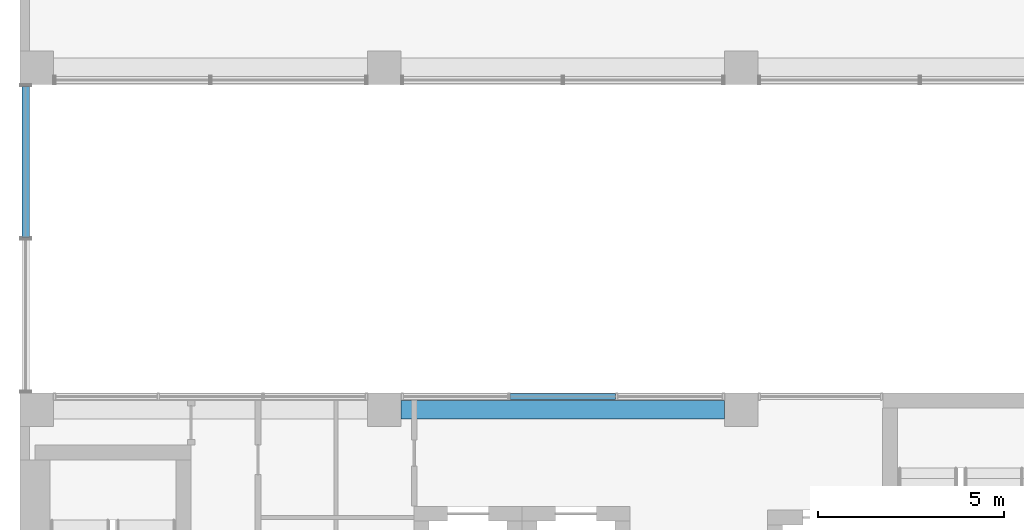
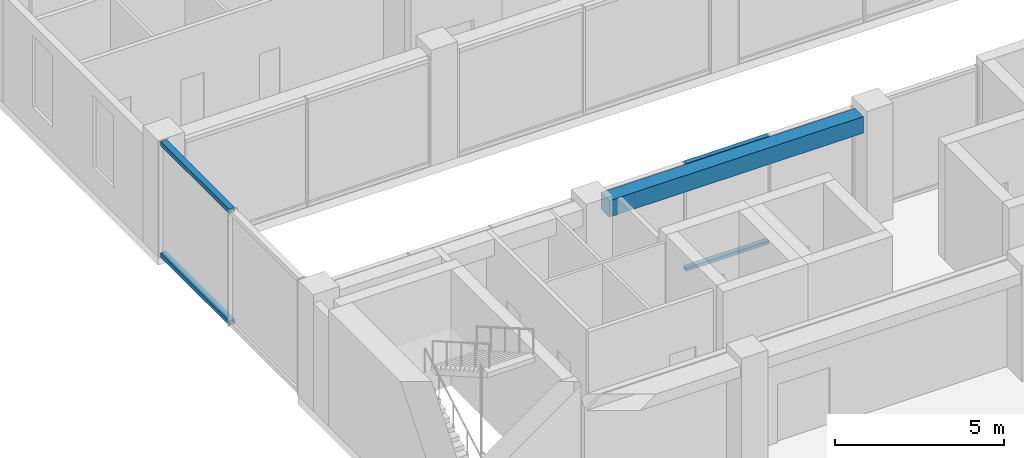
# One storey, part 7 of 37: 4 members, 1 beam, 2 elements without a shape of their own.
"""IFC4 building model written with IfcOpenShell, lengths in metres."""

from ifc_helpers import new_model, si_unit, direction, frame, origin, origin_2d, place, context, subcontext, project, spatial, rectangle, hollow_rectangle, extrude, material, layer, layer_set, material_profile, profile_set, type_object, element, aggregate, save


model = new_model("IFC4")

# Units and contexts
model_context = context("Model", 3, precision=1e-05, world=origin(), true_north=direction((0.0, 1.0)))
body_context = subcontext(model_context, "Body", "Model", "MODEL_VIEW")
ifc_project = project(units=[si_unit("LENGTHUNIT", "METRE"), si_unit("AREAUNIT", "SQUARE_METRE"), si_unit("VOLUMEUNIT", "CUBIC_METRE"), si_unit("PLANEANGLEUNIT", "RADIAN"), si_unit("MASSUNIT", "GRAM", prefix="KILO")], contexts=[model_context])

# Site, building, storey
site_placement = place(None, origin())
site = spatial("IfcSite", under=ifc_project, at=site_placement, CompositionType="ELEMENT")
building_placement = place(site_placement, origin())
building = spatial("IfcBuilding", under=site, at=building_placement, Name="Nzadi Deep Aquarium and Research Tower", CompositionType="ELEMENT")
storey_placement = place(building_placement, frame((0.0, 0.0, 57.10009765625)))
storey = spatial("IfcBuildingStorey", under=building, at=storey_placement, Name="L11", CompositionType="ELEMENT", Elevation=57.10009765625)

# Beam
ifc_material_1 = material(Name="Concrete C35/45", Category="concrete")
ifc_material_profile_1 = material_profile(ifc_material_1, rectangle(XDim=0.5, YDim=0.60009765625, at=origin_2d()))
ifc_profile_set_1 = profile_set([ifc_material_profile_1], Name="Concrete C35/45")
beam_type = type_object("IfcBeamType", Name="RC 500x600", PredefinedType="BEAM", material=ifc_profile_set_1)
beam_placement = place(storey_placement, frame((10.050048828125, 18.39990234375, 3.599853515625), z_axis=(1.0, 0.0, 0.0), x_axis=(0.0, 1.0, 0.0)))
element("IfcBeam", 1, at=beam_placement, inside=storey, type_object=beam_type, Name="B-Z1-L11-L3-2", PredefinedType="BEAM", context=body_context, shape_type="SweptSolid", body=[
    extrude(rectangle(XDim=0.5, YDim=0.60009765625, at=origin_2d()), origin(), (0.0, 0.0, 1.0), 8.699951171875),
])

# Curtain wall, members
ifc_material_2 = material(Name="Aluminium unitised frame", Category="aluminium")
ifc_layer_1 = layer(ifc_material_2, 0.199951171875)
ifc_layer_set_1 = layer_set([ifc_layer_1], Name="Aluminium unitised frame")
curtain_wall_type_1 = type_object("IfcCurtainWallType", Name="Curtain wall Unitised 200", PredefinedType="NOTDEFINED", material=ifc_layer_set_1)
curtain_wall_1_placement = place(storey_placement, origin())
curtain_wall_1 = element("IfcCurtainWall", 2, at=curtain_wall_1_placement, inside=storey, type_object=curtain_wall_type_1, Name="Unitised curtain wall blade A north L11", PredefinedType="NOTDEFINED")
ifc_material_3 = material(Name="Aluminium unitised frame", Category="aluminium")
ifc_material_profile_2 = material_profile(ifc_material_3, hollow_rectangle(XDim=0.159912109375, YDim=0.1201171875, WallThickness=0.0048828125, at=origin_2d()))
ifc_profile_set_2 = profile_set([ifc_material_profile_2], Name="Aluminium unitised frame")
member_type_1 = type_object("IfcMemberType", Name="Transom 120x160 Unitised", PredefinedType="MULLION", material=ifc_profile_set_2)
member_1_placement = place(storey_placement, frame((12.97998046875, 18.75, 0.059814453125), z_axis=(1.0, 0.0, 0.0), x_axis=(0.0, 1.0, 0.0)))
member_1 = element("IfcMember", 3, at=member_1_placement, type_object=member_type_1, Name="CW045 transom 2.1", PredefinedType="MULLION", context=body_context, shape_type="SweptSolid", body=[
    extrude(hollow_rectangle(XDim=0.159912109375, YDim=0.1201171875, WallThickness=0.0048828125, at=origin_2d()), origin(), (0.0, 0.0, 1.0), 2.840087890625),
])
member_2_placement = place(storey_placement, frame((12.97998046875, 18.75, 3.83984375), z_axis=(1.0, 0.0, 0.0), x_axis=(0.0, 1.0, 0.0)))
member_2 = element("IfcMember", 4, at=member_2_placement, type_object=member_type_1, Name="CW045 transom 2.2", PredefinedType="MULLION", context=body_context, shape_type="SweptSolid", body=[
    extrude(hollow_rectangle(XDim=0.159912109375, YDim=0.1201171875, WallThickness=0.0048828125, at=origin_2d()), origin(), (0.0, 0.0, 1.0), 2.840087890625),
])
aggregate(curtain_wall_1, [member_1, member_2])

ifc_material_4 = material(Name="Aluminium unitised frame wind post", Category="aluminium")
ifc_layer_2 = layer(ifc_material_4, 0.300048828125)
ifc_layer_set_2 = layer_set([ifc_layer_2], Name="Aluminium unitised frame wind post")
curtain_wall_type_2 = type_object("IfcCurtainWallType", Name="Curtain wall Slot End 300", PredefinedType="NOTDEFINED", material=ifc_layer_set_2)
curtain_wall_2_placement = place(storey_placement, origin())
curtain_wall_2 = element("IfcCurtainWall", 5, at=curtain_wall_2_placement, inside=storey, type_object=curtain_wall_type_2, Name="Glazed slot end west L11", PredefinedType="NOTDEFINED")
ifc_material_5 = material(Name="Aluminium unitised frame wind post", Category="aluminium")
ifc_material_profile_3 = material_profile(ifc_material_5, hollow_rectangle(XDim=0.199951171875, YDim=0.159912109375, WallThickness=0.0048828125, at=origin_2d()))
ifc_profile_set_3 = profile_set([ifc_material_profile_3], Name="Aluminium unitised frame wind post")
member_type_2 = type_object("IfcMemberType", Name="Transom 160x200 Slot End", PredefinedType="MULLION", material=ifc_profile_set_3)
member_3_placement = place(storey_placement, frame((-0.050048828125, 23.030029296875, 0.079833984375), z_axis=(0.0, 1.0, 0.0), x_axis=(-1.0, 0.0, 0.0)))
member_3 = element("IfcMember", 6, at=member_3_placement, type_object=member_type_2, Name="CW213 transom 2.1", PredefinedType="MULLION", context=body_context, shape_type="SweptSolid", body=[
    extrude(hollow_rectangle(XDim=0.199951171875, YDim=0.159912109375, WallThickness=0.0048828125, at=origin_2d()), origin(), (0.0, 0.0, 1.0), 4.06005859375),
])
member_4_placement = place(storey_placement, frame((-0.050048828125, 23.030029296875, 4.119873046875), z_axis=(0.0, 1.0, 0.0), x_axis=(-1.0, 0.0, 0.0)))
member_4 = element("IfcMember", 7, at=member_4_placement, type_object=member_type_2, Name="CW213 transom 2.2", PredefinedType="MULLION", context=body_context, shape_type="SweptSolid", body=[
    extrude(hollow_rectangle(XDim=0.199951171875, YDim=0.159912109375, WallThickness=0.0048828125, at=origin_2d()), origin(), (0.0, 0.0, 1.0), 4.06005859375),
])
aggregate(curtain_wall_2, [member_3, member_4])

save(model, "model.ifc")
